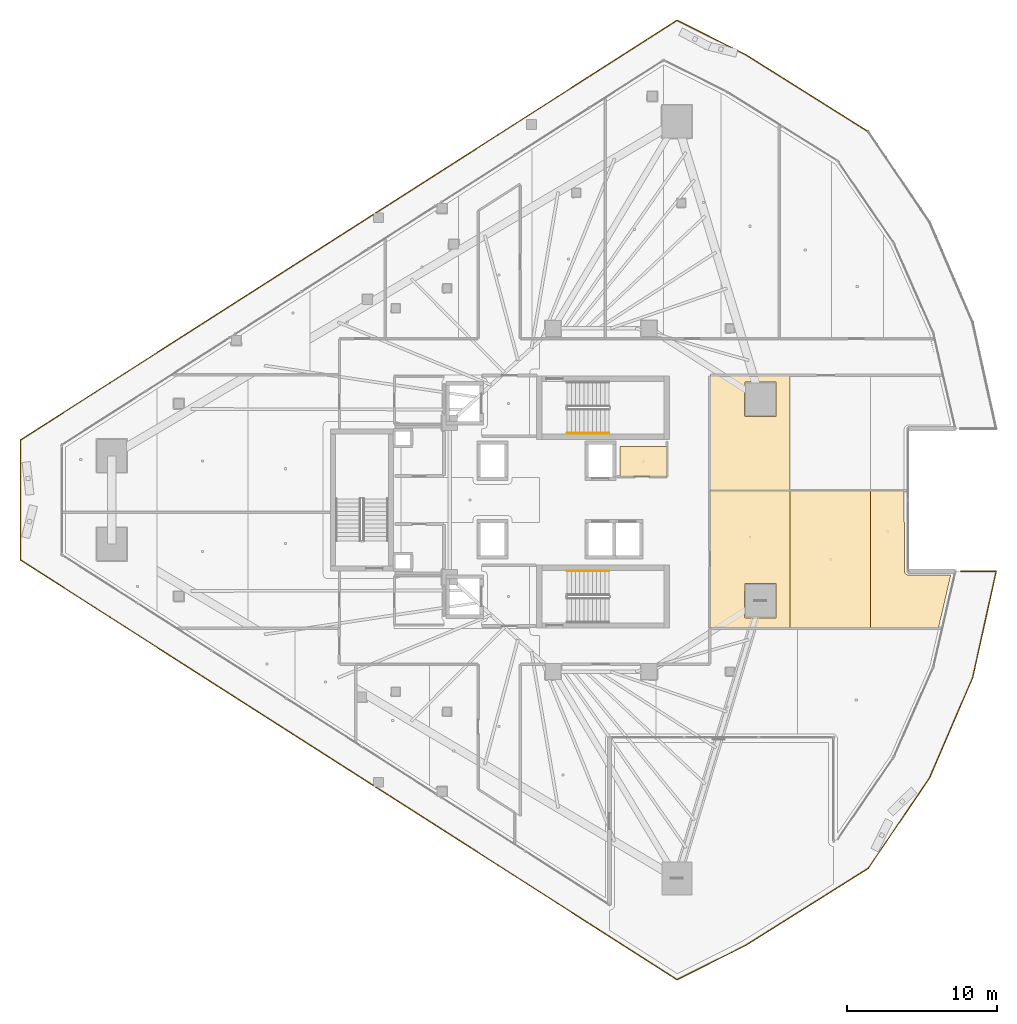
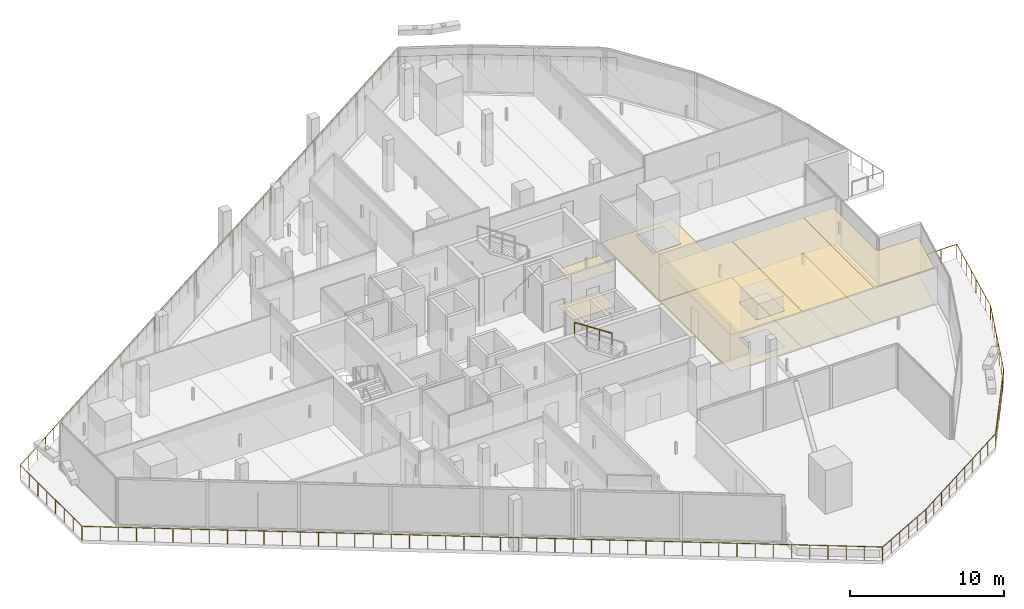
# One storey, part 35 of 38: 9 coverings, 3 railings.
"""IFC4 building model written with IfcOpenShell, lengths in metres."""

from ifc_helpers import new_model, si_unit, direction, frame, origin, origin_2d, place, context, subcontext, project, spatial, polyline, circle, outline, extrude, material, layer, layer_set, type_object, element, save


model = new_model("IFC4")

# Units and contexts
model_context = context("Model", 3, precision=1e-05, world=origin(), true_north=direction((0.0, 1.0)))
body_context = subcontext(model_context, "Body", "Model", "MODEL_VIEW")
ifc_project = project(units=[si_unit("LENGTHUNIT", "METRE"), si_unit("AREAUNIT", "SQUARE_METRE"), si_unit("VOLUMEUNIT", "CUBIC_METRE"), si_unit("PLANEANGLEUNIT", "RADIAN"), si_unit("MASSUNIT", "GRAM", prefix="KILO")], contexts=[model_context])

# Site, building, storey
site_placement = place(None, origin())
site = spatial("IfcSite", under=ifc_project, at=site_placement, CompositionType="ELEMENT")
building_placement = place(site_placement, origin())
building = spatial("IfcBuilding", under=site, at=building_placement, Name="Qorvath Tower", CompositionType="ELEMENT")
storey_placement = place(building_placement, frame((0.0, 0.0, 158.39990234375)))
storey = spatial("IfcBuildingStorey", under=building, at=storey_placement, Name="L36", CompositionType="ELEMENT", Elevation=158.39990234375)

# Coverings
ifc_material_1 = material(Name="Acoustic mineral fibre ceiling tile", Category="gypsum")
ifc_layer_1 = layer(ifc_material_1, 0.030029296875)
ifc_layer_set_1 = layer_set([ifc_layer_1], Name="COV-CEIL")
covering_type_1 = type_object("IfcCoveringType", Name="COV-CEIL", PredefinedType="CEILING", material=ifc_layer_set_1)
covering_1_placement = place(storey_placement, frame((0.0, 0.0, 2.85009765625)))
element("IfcCovering", 1, at=covering_1_placement, inside=storey, type_object=covering_type_1, Name="L36 Suspended Acoustic Ceiling 003", PredefinedType="CEILING", context=body_context, shape_type="SweptSolid", body=[
    extrude(outline(polyline([(-16.0048828125, 3.56005859375), (-19.139892578125, 3.56005859375), (-19.139892578125, 1.56494140625), (-16.0048828125, 1.56494140625), (-16.0048828125, 3.56005859375)])), origin(), (0.0, 0.0, 1.0), 0.030029296875),
])
covering_2_placement = place(storey_placement, frame((0.0, 0.0, 2.85009765625)))
element("IfcCovering", 2, at=covering_2_placement, inside=storey, type_object=covering_type_1, Name="L36 Suspended Acoustic Ceiling 029", PredefinedType="CEILING", context=body_context, shape_type="SweptSolid", body=[
    extrude(outline(polyline([(-7.782958984375, -8.53515625), (-7.782958984375, 0.624267578125), (-13.136962890625, 0.624267578125), (-13.136962890625, -8.537109375), (-7.782958984375, -8.53515625)]), holes=[polyline([(-10.830322265625, -7.8212890625), (-10.812744140625, -5.578857421875), (-8.727783203125, -5.578857421875), (-8.727783203125, -7.86376953125), (-10.770263671875, -7.88134765625), (-10.830322265625, -7.8212890625)])]), origin(), (0.0, 0.0, 1.0), 0.030029296875),
])
covering_3_placement = place(storey_placement, frame((0.0, 0.0, 2.85009765625)))
element("IfcCovering", 3, at=covering_3_placement, inside=storey, type_object=covering_type_1, Name="L36 Suspended Acoustic Ceiling 030", PredefinedType="CEILING", context=body_context, shape_type="SweptSolid", body=[
    extrude(outline(polyline([(-2.428955078125, -8.533203125), (-2.428955078125, 0.624267578125), (-7.782958984375, 0.624267578125), (-7.782958984375, -8.53515625), (-2.428955078125, -8.533203125)])), origin(), (0.0, 0.0, 1.0), 0.030029296875),
])
covering_4_placement = place(storey_placement, frame((0.0, 0.0, 2.85009765625)))
element("IfcCovering", 4, at=covering_4_placement, inside=storey, type_object=covering_type_1, Name="L36 Suspended Acoustic Ceiling 031", PredefinedType="CEILING", context=body_context, shape_type="SweptSolid", body=[
    extrude(outline(polyline([(-0.0849609375, -4.94775390625), (-0.172119140625, -4.80078125), (-0.177001953125, 0.624267578125), (-2.428955078125, 0.624267578125), (-2.428955078125, -8.533203125), (2.1083984375, -8.53173828125), (2.925048828125, -5.007080078125), (0.053466796875, -5.005859375), (-0.0849609375, -4.94775390625)])), origin(), (0.0, 0.0, 1.0), 0.030029296875),
])
ifc_material_2 = material(Name="Low-VOC modular carpet tile", Category="textile")
ifc_layer_2 = layer(ifc_material_2, 0.014892578125)
ifc_layer_set_2 = layer_set([ifc_layer_2], Name="COV-FLOOR-CPT")
covering_type_2 = type_object("IfcCoveringType", Name="COV-FLOOR-CPT", PredefinedType="FLOORING", material=ifc_layer_set_2)
covering_5_placement = place(storey_placement, origin())
element("IfcCovering", 5, at=covering_5_placement, inside=storey, type_object=covering_type_2, Name="L36 Floor Finish 003", PredefinedType="FLOORING", context=body_context, shape_type="SweptSolid", body=[
    extrude(outline(polyline([(-16.0048828125, 3.56005859375), (-19.139892578125, 3.56005859375), (-19.139892578125, 1.56494140625), (-16.0048828125, 1.56494140625), (-16.0048828125, 3.56005859375)])), origin(), (0.0, 0.0, 1.0), 0.01513671875),
])
covering_6_placement = place(storey_placement, origin())
element("IfcCovering", 6, at=covering_6_placement, inside=storey, type_object=covering_type_2, Name="L36 Floor Finish 029", PredefinedType="FLOORING", context=body_context, shape_type="SweptSolid", body=[
    extrude(outline(polyline([(-7.782958984375, -8.53515625), (-7.782958984375, 0.624267578125), (-13.136962890625, 0.624267578125), (-13.136962890625, -8.537109375), (-7.782958984375, -8.53515625)]), holes=[polyline([(-10.830322265625, -7.8212890625), (-10.812744140625, -5.578857421875), (-8.727783203125, -5.578857421875), (-8.727783203125, -7.86376953125), (-10.770263671875, -7.88134765625), (-10.830322265625, -7.8212890625)])]), origin(), (0.0, 0.0, 1.0), 0.01513671875),
])
covering_7_placement = place(storey_placement, origin())
element("IfcCovering", 7, at=covering_7_placement, inside=storey, type_object=covering_type_2, Name="L36 Floor Finish 030", PredefinedType="FLOORING", context=body_context, shape_type="SweptSolid", body=[
    extrude(outline(polyline([(-2.428955078125, -8.533203125), (-2.428955078125, 0.624267578125), (-7.782958984375, 0.624267578125), (-7.782958984375, -8.53515625), (-2.428955078125, -8.533203125)])), origin(), (0.0, 0.0, 1.0), 0.01513671875),
])
covering_8_placement = place(storey_placement, origin())
element("IfcCovering", 8, at=covering_8_placement, inside=storey, type_object=covering_type_2, Name="L36 Floor Finish 031", PredefinedType="FLOORING", context=body_context, shape_type="SweptSolid", body=[
    extrude(outline(polyline([(-0.0849609375, -4.94775390625), (-0.172119140625, -4.80078125), (-0.177001953125, 0.624267578125), (-2.428955078125, 0.624267578125), (-2.428955078125, -8.533203125), (2.1083984375, -8.53173828125), (2.925048828125, -5.007080078125), (0.053466796875, -5.005859375), (-0.0849609375, -4.94775390625)])), origin(), (0.0, 0.0, 1.0), 0.01513671875),
])
covering_9_placement = place(storey_placement, origin())
element("IfcCovering", 9, at=covering_9_placement, inside=storey, type_object=covering_type_2, Name="L36 Floor Finish 032", PredefinedType="FLOORING", context=body_context, shape_type="SweptSolid", body=[
    extrude(outline(polyline([(-7.782958984375, 0.64208984375), (-7.782958984375, 8.312744140625), (-13.136962890625, 8.306884765625), (-13.136962890625, 0.64208984375), (-7.782958984375, 0.64208984375)]), holes=[polyline([(-10.830322265625, 5.621337890625), (-10.812744140625, 7.86376953125), (-8.727783203125, 7.86376953125), (-8.727783203125, 5.578857421875), (-10.770263671875, 5.561279296875), (-10.830322265625, 5.621337890625)])]), origin(), (0.0, 0.0, 1.0), 0.01513671875),
])

# Railings
ifc_material_3 = material(Name="Laminated safety glass and stainless steel AISI 316", Category="steel")
railing_type_1 = type_object("IfcRailingType", Name="RL-EXT-GRD", PredefinedType="GUARDRAIL", material=ifc_material_3)
railing_1_placement = place(storey_placement, frame((3.595703125, -4.751953125, 0.0)))
element("IfcRailing", 10, at=railing_1_placement, inside=storey, type_object=railing_type_1, Name="Loggia Perimeter Guardrail L36-1.2", PredefinedType="GUARDRAIL", context=body_context, shape_type="SweptSolid", body=[
    extrude(circle(Radius=0.02392578125, at=origin_2d()), frame((0.0, 0.0, 1.09619140625), z_axis=(1.0, 0.0, 0.0), x_axis=(0.0, 1.0, 0.0)), (0.0, 0.0, 1.0), 2.366455078125),
    extrude(circle(Radius=0.02392578125, at=origin_2d()), frame((2.366455078125, 0.0, 1.09619140625), z_axis=(-0.2160635918, -0.976379293256, 0.0), x_axis=(0.976379293256, -0.2160635918, 0.0)), (0.0, 0.0, 1.0), 7.27685546875),
    extrude(circle(Radius=0.02392578125, at=origin_2d()), frame((0.794189453125, -7.10498046875, 1.09619140625), z_axis=(-0.395489798179, -0.918470369439, 0.0), x_axis=(0.918470369439, -0.395489798179, 0.0)), (0.0, 0.0, 1.0), 7.27685546875),
    extrude(circle(Radius=0.02392578125, at=origin_2d()), frame((-2.083740234375, -13.78857421875, 1.09619140625), z_axis=(-0.560832566276, -0.827929243718, 0.0), x_axis=(0.827929243718, -0.560832566276, 0.0)), (0.0, 0.0, 1.0), 7.27685546875),
    extrude(circle(Radius=0.02392578125, at=origin_2d()), frame((-6.164794921875, -19.813232421875, 1.09619140625), z_axis=(-0.846498164653, -0.532391638964, 0.0), x_axis=(0.532391638964, -0.846498164653, 0.0)), (0.0, 0.0, 1.0), 9.6767578125),
    extrude(circle(Radius=0.02392578125, at=origin_2d()), frame((-14.356201171875, -24.965087890625, 1.09619140625), z_axis=(-0.894427191, -0.4472135955, 0.0), x_axis=(0.4472135955, -0.894427191, 0.0)), (0.0, 0.0, 1.0), 5.111328125),
    extrude(circle(Radius=0.02392578125, at=origin_2d()), frame((-18.927978515625, -27.2509765625, 1.09619140625), z_axis=(-0.842606010013, 0.538530511568, 0.0), x_axis=(-0.538530511568, -0.842606010013, 0.0)), (0.0, 0.0, 1.0), 51.997802734375),
    extrude(circle(Radius=0.02392578125, at=origin_2d()), frame((-62.74169921875, 0.75146484375, 1.09619140625), z_axis=(0.0, 1.0, 0.0), x_axis=(-1.0, 0.0, 0.0)), (0.0, 0.0, 1.0), 8.0009765625),
    extrude(circle(Radius=0.02392578125, at=origin_2d()), frame((-62.74169921875, 8.75244140625, 1.09619140625), z_axis=(0.842606010013, 0.538530511568, 0.0), x_axis=(-0.538530511568, 0.842606010013, 0.0)), (0.0, 0.0, 1.0), 51.997802734375),
    extrude(circle(Radius=0.02392578125, at=origin_2d()), frame((-18.927978515625, 36.7548828125, 1.09619140625), z_axis=(0.894427191, -0.4472135955, 0.0), x_axis=(0.4472135955, 0.894427191, 0.0)), (0.0, 0.0, 1.0), 5.111328125),
    extrude(circle(Radius=0.02392578125, at=origin_2d()), frame((-14.356201171875, 34.468994140625, 1.09619140625), z_axis=(0.846498164653, -0.532391638964, 0.0), x_axis=(0.532391638964, 0.846498164653, 0.0)), (0.0, 0.0, 1.0), 9.6767578125),
    extrude(circle(Radius=0.02099609375, at=origin_2d()), origin(), (0.0, 0.0, 1.0), 1.072021484375),
    extrude(circle(Radius=0.02099609375, at=origin_2d()), frame((1.18310546875, 0.0, 0.0)), (0.0, 0.0, 1.0), 1.072021484375),
    extrude(circle(Radius=0.02099609375, at=origin_2d()), frame((2.366455078125, 0.0, 0.0)), (0.0, 0.0, 1.0), 1.072021484375),
    extrude(circle(Radius=0.02099609375, at=origin_2d()), frame((2.141845703125, -1.014892578125, 0.0)), (0.0, 0.0, 1.0), 1.072021484375),
    extrude(circle(Radius=0.02099609375, at=origin_2d()), frame((1.917236328125, -2.030029296875, 0.0)), (0.0, 0.0, 1.0), 1.072021484375),
    extrude(circle(Radius=0.02099609375, at=origin_2d()), frame((1.692626953125, -3.044921875, 0.0)), (0.0, 0.0, 1.0), 1.072021484375),
    extrude(circle(Radius=0.02099609375, at=origin_2d()), frame((1.468017578125, -4.06005859375, 0.0)), (0.0, 0.0, 1.0), 1.072021484375),
    extrude(circle(Radius=0.02099609375, at=origin_2d()), frame((1.243408203125, -5.074951171875, 0.0)), (0.0, 0.0, 1.0), 1.072021484375),
    extrude(circle(Radius=0.02099609375, at=origin_2d()), frame((1.018798828125, -6.090087890625, 0.0)), (0.0, 0.0, 1.0), 1.072021484375),
    extrude(circle(Radius=0.02099609375, at=origin_2d()), frame((0.794189453125, -7.10498046875, 0.0)), (0.0, 0.0, 1.0), 1.072021484375),
    extrude(circle(Radius=0.02099609375, at=origin_2d()), frame((0.383056640625, -8.059814453125, 0.0)), (0.0, 0.0, 1.0), 1.072021484375),
    extrude(circle(Radius=0.02099609375, at=origin_2d()), frame((-0.028076171875, -9.0146484375, 0.0)), (0.0, 0.0, 1.0), 1.072021484375),
    extrude(circle(Radius=0.02099609375, at=origin_2d()), frame((-0.439208984375, -9.969482421875, 0.0)), (0.0, 0.0, 1.0), 1.072021484375),
    extrude(circle(Radius=0.02099609375, at=origin_2d()), frame((-0.850341796875, -10.924072265625, 0.0)), (0.0, 0.0, 1.0), 1.072021484375),
    extrude(circle(Radius=0.02099609375, at=origin_2d()), frame((-1.261474609375, -11.87890625, 0.0)), (0.0, 0.0, 1.0), 1.072021484375),
    extrude(circle(Radius=0.02099609375, at=origin_2d()), frame((-1.672607421875, -12.833740234375, 0.0)), (0.0, 0.0, 1.0), 1.072021484375),
    extrude(circle(Radius=0.02099609375, at=origin_2d()), frame((-2.083740234375, -13.78857421875, 0.0)), (0.0, 0.0, 1.0), 1.072021484375),
    extrude(circle(Radius=0.02099609375, at=origin_2d()), frame((-2.666748046875, -14.649169921875, 0.0)), (0.0, 0.0, 1.0), 1.072021484375),
    extrude(circle(Radius=0.02099609375, at=origin_2d()), frame((-3.249755859375, -15.510009765625, 0.0)), (0.0, 0.0, 1.0), 1.072021484375),
    extrude(circle(Radius=0.02099609375, at=origin_2d()), frame((-3.832763671875, -16.37060546875, 0.0)), (0.0, 0.0, 1.0), 1.072021484375),
    extrude(circle(Radius=0.02099609375, at=origin_2d()), frame((-4.415771484375, -17.231201171875, 0.0)), (0.0, 0.0, 1.0), 1.072021484375),
    extrude(circle(Radius=0.02099609375, at=origin_2d()), frame((-4.998779296875, -18.091796875, 0.0)), (0.0, 0.0, 1.0), 1.072021484375),
    extrude(circle(Radius=0.02099609375, at=origin_2d()), frame((-5.581787109375, -18.95263671875, 0.0)), (0.0, 0.0, 1.0), 1.072021484375),
    extrude(circle(Radius=0.02099609375, at=origin_2d()), frame((-6.164794921875, -19.813232421875, 0.0)), (0.0, 0.0, 1.0), 1.072021484375),
    extrude(circle(Radius=0.02099609375, at=origin_2d()), frame((-7.074951171875, -20.3857421875, 0.0)), (0.0, 0.0, 1.0), 1.072021484375),
    extrude(circle(Radius=0.02099609375, at=origin_2d()), frame((-7.985107421875, -20.9580078125, 0.0)), (0.0, 0.0, 1.0), 1.072021484375),
    extrude(circle(Radius=0.02099609375, at=origin_2d()), frame((-8.895263671875, -21.530517578125, 0.0)), (0.0, 0.0, 1.0), 1.072021484375),
    extrude(circle(Radius=0.02099609375, at=origin_2d()), frame((-9.805419921875, -22.10302734375, 0.0)), (0.0, 0.0, 1.0), 1.072021484375),
    extrude(circle(Radius=0.02099609375, at=origin_2d()), frame((-10.715576171875, -22.67529296875, 0.0)), (0.0, 0.0, 1.0), 1.072021484375),
    extrude(circle(Radius=0.02099609375, at=origin_2d()), frame((-11.625732421875, -23.247802734375, 0.0)), (0.0, 0.0, 1.0), 1.072021484375),
    extrude(circle(Radius=0.02099609375, at=origin_2d()), frame((-12.535888671875, -23.8203125, 0.0)), (0.0, 0.0, 1.0), 1.072021484375),
    extrude(circle(Radius=0.02099609375, at=origin_2d()), frame((-13.446044921875, -24.392578125, 0.0)), (0.0, 0.0, 1.0), 1.072021484375),
    extrude(circle(Radius=0.02099609375, at=origin_2d()), frame((-14.356201171875, -24.965087890625, 0.0)), (0.0, 0.0, 1.0), 1.072021484375),
    extrude(circle(Radius=0.02099609375, at=origin_2d()), frame((-15.2705078125, -25.42236328125, 0.0)), (0.0, 0.0, 1.0), 1.072021484375),
    extrude(circle(Radius=0.02099609375, at=origin_2d()), frame((-16.184814453125, -25.87939453125, 0.0)), (0.0, 0.0, 1.0), 1.072021484375),
    extrude(circle(Radius=0.02099609375, at=origin_2d()), frame((-17.099365234375, -26.336669921875, 0.0)), (0.0, 0.0, 1.0), 1.072021484375),
    extrude(circle(Radius=0.02099609375, at=origin_2d()), frame((-18.013671875, -26.793701171875, 0.0)), (0.0, 0.0, 1.0), 1.072021484375),
    extrude(circle(Radius=0.02099609375, at=origin_2d()), frame((-18.927978515625, -27.2509765625, 0.0)), (0.0, 0.0, 1.0), 1.072021484375),
    extrude(circle(Radius=0.02099609375, at=origin_2d()), frame((-19.923828125, -26.614501953125, 0.0)), (0.0, 0.0, 1.0), 1.072021484375),
    extrude(circle(Radius=0.02099609375, at=origin_2d()), frame((-20.91943359375, -25.97802734375, 0.0)), (0.0, 0.0, 1.0), 1.072021484375),
    extrude(circle(Radius=0.02099609375, at=origin_2d()), frame((-21.915283203125, -25.341796875, 0.0)), (0.0, 0.0, 1.0), 1.072021484375),
    extrude(circle(Radius=0.02099609375, at=origin_2d()), frame((-22.9111328125, -24.705322265625, 0.0)), (0.0, 0.0, 1.0), 1.072021484375),
    extrude(circle(Radius=0.02099609375, at=origin_2d()), frame((-23.90673828125, -24.06884765625, 0.0)), (0.0, 0.0, 1.0), 1.072021484375),
    extrude(circle(Radius=0.02099609375, at=origin_2d()), frame((-24.902587890625, -23.432373046875, 0.0)), (0.0, 0.0, 1.0), 1.072021484375),
    extrude(circle(Radius=0.02099609375, at=origin_2d()), frame((-25.8984375, -22.796142578125, 0.0)), (0.0, 0.0, 1.0), 1.072021484375),
    extrude(circle(Radius=0.02099609375, at=origin_2d()), frame((-26.89404296875, -22.15966796875, 0.0)), (0.0, 0.0, 1.0), 1.072021484375),
    extrude(circle(Radius=0.02099609375, at=origin_2d()), frame((-27.889892578125, -21.523193359375, 0.0)), (0.0, 0.0, 1.0), 1.072021484375),
    extrude(circle(Radius=0.02099609375, at=origin_2d()), frame((-28.8857421875, -20.88671875, 0.0)), (0.0, 0.0, 1.0), 1.072021484375),
    extrude(circle(Radius=0.02099609375, at=origin_2d()), frame((-29.88134765625, -20.25048828125, 0.0)), (0.0, 0.0, 1.0), 1.072021484375),
    extrude(circle(Radius=0.02099609375, at=origin_2d()), frame((-30.877197265625, -19.614013671875, 0.0)), (0.0, 0.0, 1.0), 1.072021484375),
    extrude(circle(Radius=0.02099609375, at=origin_2d()), frame((-31.873046875, -18.9775390625, 0.0)), (0.0, 0.0, 1.0), 1.072021484375),
    extrude(circle(Radius=0.02099609375, at=origin_2d()), frame((-32.86865234375, -18.341064453125, 0.0)), (0.0, 0.0, 1.0), 1.072021484375),
    extrude(circle(Radius=0.02099609375, at=origin_2d()), frame((-33.864501953125, -17.70458984375, 0.0)), (0.0, 0.0, 1.0), 1.072021484375),
    extrude(circle(Radius=0.02099609375, at=origin_2d()), frame((-34.8603515625, -17.068359375, 0.0)), (0.0, 0.0, 1.0), 1.072021484375),
    extrude(circle(Radius=0.02099609375, at=origin_2d()), frame((-35.85595703125, -16.431884765625, 0.0)), (0.0, 0.0, 1.0), 1.072021484375),
    extrude(circle(Radius=0.02099609375, at=origin_2d()), frame((-36.851806640625, -15.79541015625, 0.0)), (0.0, 0.0, 1.0), 1.072021484375),
    extrude(circle(Radius=0.02099609375, at=origin_2d()), frame((-37.84765625, -15.158935546875, 0.0)), (0.0, 0.0, 1.0), 1.072021484375),
    extrude(circle(Radius=0.02099609375, at=origin_2d()), frame((-38.84326171875, -14.522705078125, 0.0)), (0.0, 0.0, 1.0), 1.072021484375),
    extrude(circle(Radius=0.02099609375, at=origin_2d()), frame((-39.839111328125, -13.88623046875, 0.0)), (0.0, 0.0, 1.0), 1.072021484375),
    extrude(circle(Radius=0.02099609375, at=origin_2d()), frame((-40.8349609375, -13.249755859375, 0.0)), (0.0, 0.0, 1.0), 1.072021484375),
    extrude(circle(Radius=0.02099609375, at=origin_2d()), frame((-41.83056640625, -12.61328125, 0.0)), (0.0, 0.0, 1.0), 1.072021484375),
    extrude(circle(Radius=0.02099609375, at=origin_2d()), frame((-42.826416015625, -11.976806640625, 0.0)), (0.0, 0.0, 1.0), 1.072021484375),
    extrude(circle(Radius=0.02099609375, at=origin_2d()), frame((-43.822021484375, -11.340576171875, 0.0)), (0.0, 0.0, 1.0), 1.072021484375),
    extrude(circle(Radius=0.02099609375, at=origin_2d()), frame((-44.81787109375, -10.7041015625, 0.0)), (0.0, 0.0, 1.0), 1.072021484375),
    extrude(circle(Radius=0.02099609375, at=origin_2d()), frame((-45.813720703125, -10.067626953125, 0.0)), (0.0, 0.0, 1.0), 1.072021484375),
    extrude(circle(Radius=0.02099609375, at=origin_2d()), frame((-46.809326171875, -9.43115234375, 0.0)), (0.0, 0.0, 1.0), 1.072021484375),
    extrude(circle(Radius=0.02099609375, at=origin_2d()), frame((-47.80517578125, -8.794921875, 0.0)), (0.0, 0.0, 1.0), 1.072021484375),
    extrude(circle(Radius=0.02099609375, at=origin_2d()), frame((-48.801025390625, -8.158447265625, 0.0)), (0.0, 0.0, 1.0), 1.072021484375),
    extrude(circle(Radius=0.02099609375, at=origin_2d()), frame((-49.796630859375, -7.52197265625, 0.0)), (0.0, 0.0, 1.0), 1.072021484375),
    extrude(circle(Radius=0.02099609375, at=origin_2d()), frame((-50.79248046875, -6.885498046875, 0.0)), (0.0, 0.0, 1.0), 1.072021484375),
    extrude(circle(Radius=0.02099609375, at=origin_2d()), frame((-51.788330078125, -6.2490234375, 0.0)), (0.0, 0.0, 1.0), 1.072021484375),
    extrude(circle(Radius=0.02099609375, at=origin_2d()), frame((-52.783935546875, -5.61279296875, 0.0)), (0.0, 0.0, 1.0), 1.072021484375),
    extrude(circle(Radius=0.02099609375, at=origin_2d()), frame((-53.77978515625, -4.976318359375, 0.0)), (0.0, 0.0, 1.0), 1.072021484375),
    extrude(circle(Radius=0.02099609375, at=origin_2d()), frame((-54.775634765625, -4.33984375, 0.0)), (0.0, 0.0, 1.0), 1.072021484375),
    extrude(circle(Radius=0.02099609375, at=origin_2d()), frame((-55.771240234375, -3.703369140625, 0.0)), (0.0, 0.0, 1.0), 1.072021484375),
    extrude(circle(Radius=0.02099609375, at=origin_2d()), frame((-56.76708984375, -3.067138671875, 0.0)), (0.0, 0.0, 1.0), 1.072021484375),
    extrude(circle(Radius=0.02099609375, at=origin_2d()), frame((-57.762939453125, -2.4306640625, 0.0)), (0.0, 0.0, 1.0), 1.072021484375),
    extrude(circle(Radius=0.02099609375, at=origin_2d()), frame((-58.758544921875, -1.794189453125, 0.0)), (0.0, 0.0, 1.0), 1.072021484375),
    extrude(circle(Radius=0.02099609375, at=origin_2d()), frame((-59.75439453125, -1.15771484375, 0.0)), (0.0, 0.0, 1.0), 1.072021484375),
    extrude(circle(Radius=0.02099609375, at=origin_2d()), frame((-60.750244140625, -0.521484375, 0.0)), (0.0, 0.0, 1.0), 1.072021484375),
    extrude(circle(Radius=0.02099609375, at=origin_2d()), frame((-61.745849609375, 0.114990234375, 0.0)), (0.0, 0.0, 1.0), 1.072021484375),
    extrude(circle(Radius=0.02099609375, at=origin_2d()), frame((-62.74169921875, 0.75146484375, 0.0)), (0.0, 0.0, 1.0), 1.072021484375),
    extrude(circle(Radius=0.02099609375, at=origin_2d()), frame((-62.74169921875, 1.89453125, 0.0)), (0.0, 0.0, 1.0), 1.072021484375),
    extrude(circle(Radius=0.02099609375, at=origin_2d()), frame((-62.74169921875, 3.037353515625, 0.0)), (0.0, 0.0, 1.0), 1.072021484375),
    extrude(circle(Radius=0.02099609375, at=origin_2d()), frame((-62.74169921875, 4.180419921875, 0.0)), (0.0, 0.0, 1.0), 1.072021484375),
    extrude(circle(Radius=0.02099609375, at=origin_2d()), frame((-62.74169921875, 5.323486328125, 0.0)), (0.0, 0.0, 1.0), 1.072021484375),
    extrude(circle(Radius=0.02099609375, at=origin_2d()), frame((-62.74169921875, 6.466552734375, 0.0)), (0.0, 0.0, 1.0), 1.072021484375),
    extrude(circle(Radius=0.02099609375, at=origin_2d()), frame((-62.74169921875, 7.609375, 0.0)), (0.0, 0.0, 1.0), 1.072021484375),
    extrude(circle(Radius=0.02099609375, at=origin_2d()), frame((-62.74169921875, 8.75244140625, 0.0)), (0.0, 0.0, 1.0), 1.072021484375),
    extrude(circle(Radius=0.02099609375, at=origin_2d()), frame((-61.745849609375, 9.388916015625, 0.0)), (0.0, 0.0, 1.0), 1.072021484375),
    extrude(circle(Radius=0.02099609375, at=origin_2d()), frame((-60.750244140625, 10.025390625, 0.0)), (0.0, 0.0, 1.0), 1.072021484375),
    extrude(circle(Radius=0.02099609375, at=origin_2d()), frame((-59.75439453125, 10.66162109375, 0.0)), (0.0, 0.0, 1.0), 1.072021484375),
    extrude(circle(Radius=0.02099609375, at=origin_2d()), frame((-58.758544921875, 11.298095703125, 0.0)), (0.0, 0.0, 1.0), 1.072021484375),
    extrude(circle(Radius=0.02099609375, at=origin_2d()), frame((-57.762939453125, 11.9345703125, 0.0)), (0.0, 0.0, 1.0), 1.072021484375),
    extrude(circle(Radius=0.02099609375, at=origin_2d()), frame((-56.76708984375, 12.571044921875, 0.0)), (0.0, 0.0, 1.0), 1.072021484375),
    extrude(circle(Radius=0.02099609375, at=origin_2d()), frame((-55.771240234375, 13.207275390625, 0.0)), (0.0, 0.0, 1.0), 1.072021484375),
    extrude(circle(Radius=0.02099609375, at=origin_2d()), frame((-54.775634765625, 13.84375, 0.0)), (0.0, 0.0, 1.0), 1.072021484375),
    extrude(circle(Radius=0.02099609375, at=origin_2d()), frame((-53.77978515625, 14.480224609375, 0.0)), (0.0, 0.0, 1.0), 1.072021484375),
    extrude(circle(Radius=0.02099609375, at=origin_2d()), frame((-52.783935546875, 15.11669921875, 0.0)), (0.0, 0.0, 1.0), 1.072021484375),
    extrude(circle(Radius=0.02099609375, at=origin_2d()), frame((-51.788330078125, 15.7529296875, 0.0)), (0.0, 0.0, 1.0), 1.072021484375),
    extrude(circle(Radius=0.02099609375, at=origin_2d()), frame((-50.79248046875, 16.389404296875, 0.0)), (0.0, 0.0, 1.0), 1.072021484375),
    extrude(circle(Radius=0.02099609375, at=origin_2d()), frame((-49.796630859375, 17.02587890625, 0.0)), (0.0, 0.0, 1.0), 1.072021484375),
    extrude(circle(Radius=0.02099609375, at=origin_2d()), frame((-48.801025390625, 17.662353515625, 0.0)), (0.0, 0.0, 1.0), 1.072021484375),
    extrude(circle(Radius=0.02099609375, at=origin_2d()), frame((-47.80517578125, 18.298828125, 0.0)), (0.0, 0.0, 1.0), 1.072021484375),
    extrude(circle(Radius=0.02099609375, at=origin_2d()), frame((-46.809326171875, 18.93505859375, 0.0)), (0.0, 0.0, 1.0), 1.072021484375),
    extrude(circle(Radius=0.02099609375, at=origin_2d()), frame((-45.813720703125, 19.571533203125, 0.0)), (0.0, 0.0, 1.0), 1.072021484375),
    extrude(circle(Radius=0.02099609375, at=origin_2d()), frame((-44.81787109375, 20.2080078125, 0.0)), (0.0, 0.0, 1.0), 1.072021484375),
    extrude(circle(Radius=0.02099609375, at=origin_2d()), frame((-43.822021484375, 20.844482421875, 0.0)), (0.0, 0.0, 1.0), 1.072021484375),
    extrude(circle(Radius=0.02099609375, at=origin_2d()), frame((-42.826416015625, 21.480712890625, 0.0)), (0.0, 0.0, 1.0), 1.072021484375),
    extrude(circle(Radius=0.02099609375, at=origin_2d()), frame((-41.83056640625, 22.1171875, 0.0)), (0.0, 0.0, 1.0), 1.072021484375),
    extrude(circle(Radius=0.02099609375, at=origin_2d()), frame((-40.8349609375, 22.753662109375, 0.0)), (0.0, 0.0, 1.0), 1.072021484375),
    extrude(circle(Radius=0.02099609375, at=origin_2d()), frame((-39.839111328125, 23.39013671875, 0.0)), (0.0, 0.0, 1.0), 1.072021484375),
    extrude(circle(Radius=0.02099609375, at=origin_2d()), frame((-38.84326171875, 24.026611328125, 0.0)), (0.0, 0.0, 1.0), 1.072021484375),
    extrude(circle(Radius=0.02099609375, at=origin_2d()), frame((-37.84765625, 24.662841796875, 0.0)), (0.0, 0.0, 1.0), 1.072021484375),
    extrude(circle(Radius=0.02099609375, at=origin_2d()), frame((-36.851806640625, 25.29931640625, 0.0)), (0.0, 0.0, 1.0), 1.072021484375),
    extrude(circle(Radius=0.02099609375, at=origin_2d()), frame((-35.85595703125, 25.935791015625, 0.0)), (0.0, 0.0, 1.0), 1.072021484375),
    extrude(circle(Radius=0.02099609375, at=origin_2d()), frame((-34.8603515625, 26.572265625, 0.0)), (0.0, 0.0, 1.0), 1.072021484375),
    extrude(circle(Radius=0.02099609375, at=origin_2d()), frame((-33.864501953125, 27.20849609375, 0.0)), (0.0, 0.0, 1.0), 1.072021484375),
    extrude(circle(Radius=0.02099609375, at=origin_2d()), frame((-32.86865234375, 27.844970703125, 0.0)), (0.0, 0.0, 1.0), 1.072021484375),
    extrude(circle(Radius=0.02099609375, at=origin_2d()), frame((-31.873046875, 28.4814453125, 0.0)), (0.0, 0.0, 1.0), 1.072021484375),
    extrude(circle(Radius=0.02099609375, at=origin_2d()), frame((-30.877197265625, 29.117919921875, 0.0)), (0.0, 0.0, 1.0), 1.072021484375),
    extrude(circle(Radius=0.02099609375, at=origin_2d()), frame((-29.88134765625, 29.75439453125, 0.0)), (0.0, 0.0, 1.0), 1.072021484375),
    extrude(circle(Radius=0.02099609375, at=origin_2d()), frame((-28.8857421875, 30.390625, 0.0)), (0.0, 0.0, 1.0), 1.072021484375),
    extrude(circle(Radius=0.02099609375, at=origin_2d()), frame((-27.889892578125, 31.027099609375, 0.0)), (0.0, 0.0, 1.0), 1.072021484375),
    extrude(circle(Radius=0.02099609375, at=origin_2d()), frame((-26.89404296875, 31.66357421875, 0.0)), (0.0, 0.0, 1.0), 1.072021484375),
    extrude(circle(Radius=0.02099609375, at=origin_2d()), frame((-25.8984375, 32.300048828125, 0.0)), (0.0, 0.0, 1.0), 1.072021484375),
    extrude(circle(Radius=0.02099609375, at=origin_2d()), frame((-24.902587890625, 32.936279296875, 0.0)), (0.0, 0.0, 1.0), 1.072021484375),
    extrude(circle(Radius=0.02099609375, at=origin_2d()), frame((-23.90673828125, 33.57275390625, 0.0)), (0.0, 0.0, 1.0), 1.072021484375),
    extrude(circle(Radius=0.02099609375, at=origin_2d()), frame((-22.9111328125, 34.209228515625, 0.0)), (0.0, 0.0, 1.0), 1.072021484375),
    extrude(circle(Radius=0.02099609375, at=origin_2d()), frame((-21.915283203125, 34.845703125, 0.0)), (0.0, 0.0, 1.0), 1.072021484375),
    extrude(circle(Radius=0.02099609375, at=origin_2d()), frame((-20.91943359375, 35.48193359375, 0.0)), (0.0, 0.0, 1.0), 1.072021484375),
    extrude(circle(Radius=0.02099609375, at=origin_2d()), frame((-19.923828125, 36.118408203125, 0.0)), (0.0, 0.0, 1.0), 1.072021484375),
    extrude(circle(Radius=0.02099609375, at=origin_2d()), frame((-18.927978515625, 36.7548828125, 0.0)), (0.0, 0.0, 1.0), 1.072021484375),
    extrude(circle(Radius=0.02099609375, at=origin_2d()), frame((-18.013671875, 36.297607421875, 0.0)), (0.0, 0.0, 1.0), 1.072021484375),
    extrude(circle(Radius=0.02099609375, at=origin_2d()), frame((-17.099365234375, 35.840576171875, 0.0)), (0.0, 0.0, 1.0), 1.072021484375),
    extrude(circle(Radius=0.02099609375, at=origin_2d()), frame((-16.184814453125, 35.38330078125, 0.0)), (0.0, 0.0, 1.0), 1.072021484375),
    extrude(circle(Radius=0.02099609375, at=origin_2d()), frame((-15.2705078125, 34.92626953125, 0.0)), (0.0, 0.0, 1.0), 1.072021484375),
    extrude(circle(Radius=0.02099609375, at=origin_2d()), frame((-14.356201171875, 34.468994140625, 0.0)), (0.0, 0.0, 1.0), 1.072021484375),
    extrude(circle(Radius=0.02099609375, at=origin_2d()), frame((-13.446044921875, 33.896484375, 0.0)), (0.0, 0.0, 1.0), 1.072021484375),
    extrude(circle(Radius=0.02099609375, at=origin_2d()), frame((-12.535888671875, 33.32421875, 0.0)), (0.0, 0.0, 1.0), 1.072021484375),
    extrude(circle(Radius=0.02099609375, at=origin_2d()), frame((-11.625732421875, 32.751708984375, 0.0)), (0.0, 0.0, 1.0), 1.072021484375),
    extrude(circle(Radius=0.02099609375, at=origin_2d()), frame((-10.715576171875, 32.17919921875, 0.0)), (0.0, 0.0, 1.0), 1.072021484375),
    extrude(circle(Radius=0.02099609375, at=origin_2d()), frame((-9.805419921875, 31.60693359375, 0.0)), (0.0, 0.0, 1.0), 1.072021484375),
    extrude(circle(Radius=0.02099609375, at=origin_2d()), frame((-8.895263671875, 31.034423828125, 0.0)), (0.0, 0.0, 1.0), 1.072021484375),
    extrude(circle(Radius=0.02099609375, at=origin_2d()), frame((-7.985107421875, 30.4619140625, 0.0)), (0.0, 0.0, 1.0), 1.072021484375),
    extrude(circle(Radius=0.02099609375, at=origin_2d()), frame((-7.074951171875, 29.8896484375, 0.0)), (0.0, 0.0, 1.0), 1.072021484375),
    extrude(circle(Radius=0.02099609375, at=origin_2d()), frame((-6.164794921875, 29.317138671875, 0.0)), (0.0, 0.0, 1.0), 1.072021484375),
])
ifc_material_4 = material(Name="Brushed stainless steel AISI 304", Category="steel")
railing_type_2 = type_object("IfcRailingType", Name="RL-STR-HND", PredefinedType="HANDRAIL", material=ifc_material_4)
railing_2_placement = place(storey_placement, frame((-22.669921875, 4.449951171875, 0.18408203125)))
element("IfcRailing", 11, at=railing_2_placement, inside=storey, type_object=railing_type_2, Name="L36 TS1 stair handrail 1", PredefinedType="HANDRAIL", context=body_context, shape_type="SweptSolid", body=[
    extrude(circle(Radius=0.02392578125, at=origin_2d()), frame((0.0, 0.0, 0.8759765625), z_axis=(0.835542071712, 0.0, 0.549426470421), x_axis=(0.0, 1.0, 0.0)), (0.0, 0.0, 1.0), 3.350830078125),
    extrude(circle(Radius=0.02099609375, at=origin_2d()), origin(), (0.0, 0.0, 1.0), 0.851806640625),
    extrude(circle(Radius=0.02099609375, at=origin_2d()), frame((0.933349609375, 0.0, 0.61376953125)), (0.0, 0.0, 1.0), 0.851806640625),
    extrude(circle(Radius=0.02099609375, at=origin_2d()), frame((1.866455078125, 0.0, 1.227294921875)), (0.0, 0.0, 1.0), 0.851806640625),
    extrude(circle(Radius=0.02099609375, at=origin_2d()), frame((2.7998046875, 0.0, 1.841064453125)), (0.0, 0.0, 1.0), 0.851806640625),
])
railing_3_placement = place(storey_placement, frame((-19.8701171875, -4.739990234375, 2.209228515625)))
element("IfcRailing", 12, at=railing_3_placement, inside=storey, type_object=railing_type_2, Name="L36 TS2 stair handrail 2", PredefinedType="HANDRAIL", context=body_context, shape_type="SweptSolid", body=[
    extrude(circle(Radius=0.02392578125, at=origin_2d()), frame((0.0, 0.0, 0.8759765625), z_axis=(-0.835575518608, 0.0, 0.549375602573), x_axis=(0.0, -1.0, 0.0)), (0.0, 0.0, 1.0), 3.350830078125),
    extrude(circle(Radius=0.02099609375, at=origin_2d()), origin(), (0.0, 0.0, 1.0), 0.851806640625),
    extrude(circle(Radius=0.02099609375, at=origin_2d()), frame((-0.933349609375, 0.0, 0.613525390625)), (0.0, 0.0, 1.0), 0.851806640625),
    extrude(circle(Radius=0.02099609375, at=origin_2d()), frame((-1.866455078125, 0.0, 1.227294921875)), (0.0, 0.0, 1.0), 0.851806640625),
    extrude(circle(Radius=0.02099609375, at=origin_2d()), frame((-2.7998046875, 0.0, 1.8408203125)), (0.0, 0.0, 1.0), 0.851806640625),
])

save(model, "model.ifc")
